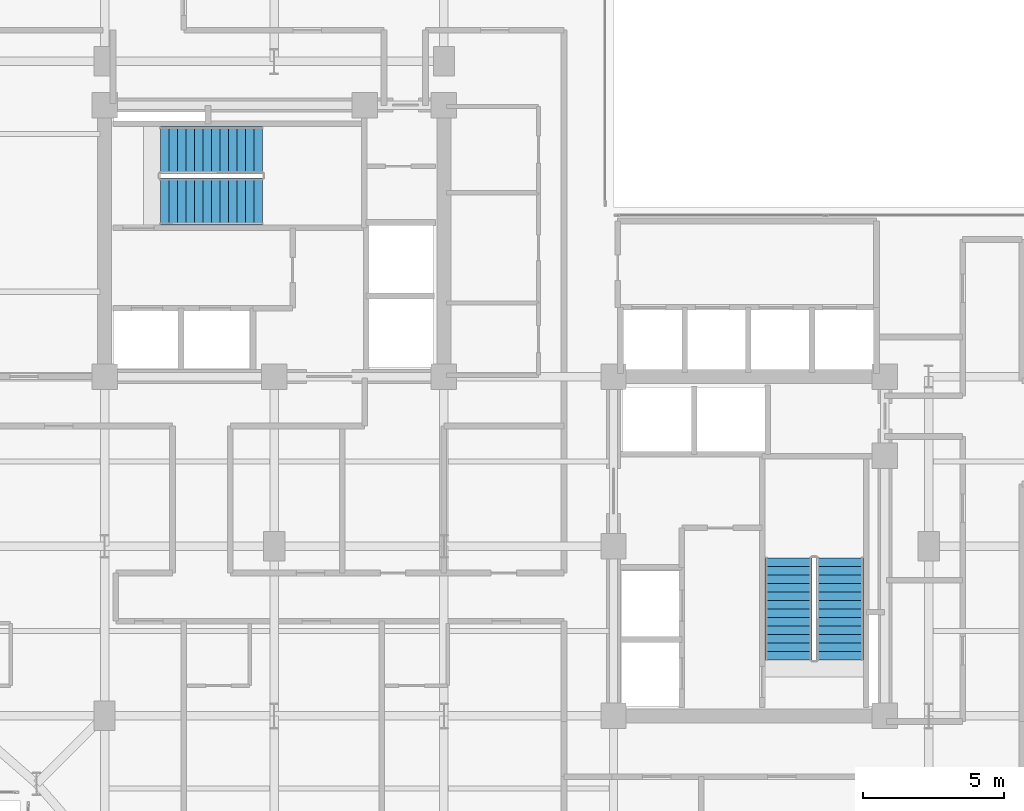
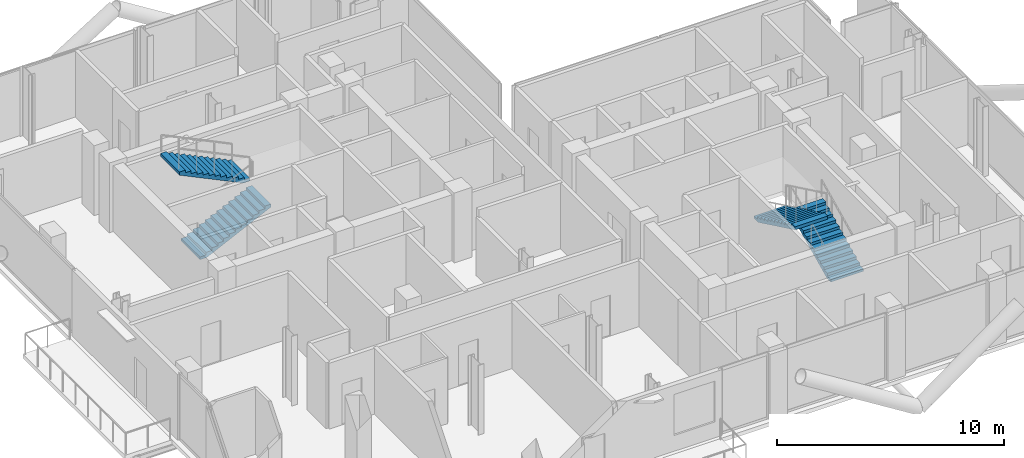
# One storey, part 20 of 22: 4 stair flights, 2 elements without a shape of their own.
"""IFC4 building model written with IfcOpenShell, lengths in metres."""

import ifcopenshell
import ifcopenshell.guid

model = None  # the IFC model being written
_history = None  # IfcOwnerHistory: only IFC2X3 demands one
_inside = {}  # id of a spatial element -> (the spatial element, [elements in it])
_under = {}  # id of a project, library or spatial element -> (it, [spatial elements below it])
_declared = {}  # id of a project -> (the project, [libraries it declares])
_typed = {}  # id of a type object -> (the type object, [elements of that type])
_made_of = {}  # id of a material, layer set ... -> (it, [elements and type objects made of it])


def new_model(schema):
    """Start an empty IFC model of exactly this schema.

    Asked for "IFC4X3", IfcOpenShell would pick the latest addendum, in which some entities
    have other attributes; the version numbers below select the first issue.
    IFC2X3 requires an IfcOwnerHistory on every rooted entity: one is made here for all.
    """
    global model, _history
    if schema == "IFC4X3":
        model = ifcopenshell.file(schema_version=(4, 3, 0, 0))
    else:
        model = ifcopenshell.file(schema=schema)
    _inside.clear()
    _under.clear()
    _declared.clear()
    _typed.clear()
    _made_of.clear()
    _history = None
    if model.schema == "IFC2X3":
        org = make("IfcOrganization", Name="unknown")
        user = make(
            "IfcPersonAndOrganization",
            ThePerson=make("IfcPerson", FamilyName="unknown"),
            TheOrganization=org,
        )
        app = make(
            "IfcApplication",
            ApplicationDeveloper=org,
            Version="unknown",
            ApplicationFullName="unknown",
            ApplicationIdentifier="unknown",
        )
        _history = make(
            "IfcOwnerHistory",
            OwningUser=user,
            OwningApplication=app,
            ChangeAction="ADDED",
            CreationDate=0,
        )
    return model


def make(cls, **values):
    """One entity of the class cls with the attributes given. An attribute that is None is left unset."""
    return model.create_entity(
        cls, **{name: value for name, value in values.items() if value is not None}
    )


def rooted(cls, **values):
    """An entity with a GlobalId (a new one), such as an element, a storey or a relation."""
    return make(cls, GlobalId=ifcopenshell.guid.new(), OwnerHistory=_history, **values)


def si_unit(unit_type, name, prefix=None):
    """IfcSIUnit, for example si_unit("LENGTHUNIT", "METRE", prefix="MILLI")."""
    return make("IfcSIUnit", UnitType=unit_type, Prefix=prefix, Name=name)


def assignment(units):
    """IfcUnitAssignment: the units of a project."""
    return None if units is None else make("IfcUnitAssignment", Units=units)


def point(xyz):
    """IfcCartesianPoint."""
    return None if xyz is None else make("IfcCartesianPoint", Coordinates=xyz)


def direction(xyz):
    """IfcDirection."""
    return None if xyz is None else make("IfcDirection", DirectionRatios=xyz)


def frame(location, z_axis=None, x_axis=None):
    """IfcAxis2Placement3D, a coordinate frame: its origin and axes. An axis left out is left unset."""
    return make(
        "IfcAxis2Placement3D",
        Location=point(location),
        Axis=direction(z_axis),
        RefDirection=direction(x_axis),
    )


def origin():
    """The frame at (0, 0, 0) with its axes left unset."""
    return frame((0.0, 0.0, 0.0))


def place(relative_to, where):
    """IfcLocalPlacement: puts the frame where relative to a parent placement (None: the world)."""
    return make(
        "IfcLocalPlacement", PlacementRelTo=relative_to, RelativePlacement=where
    )


def context(
    kind, dimensions, precision=None, world=None, true_north=None, identifier=None
):
    """IfcGeometricRepresentationContext, for example the 3D "Model" context."""
    return make(
        "IfcGeometricRepresentationContext",
        ContextIdentifier=identifier,
        ContextType=kind,
        CoordinateSpaceDimension=dimensions,
        Precision=precision,
        WorldCoordinateSystem=world,
        TrueNorth=true_north,
    )


def subcontext(parent, identifier, kind, view, scale=None):
    """IfcGeometricRepresentationSubContext, for example "Body" below "Model"."""
    return make(
        "IfcGeometricRepresentationSubContext",
        ContextIdentifier=identifier,
        ContextType=kind,
        ParentContext=parent,
        TargetScale=scale,
        TargetView=view,
    )


def project(units=None, contexts=None):
    """IfcProject with its units and contexts."""
    return rooted(
        "IfcProject",
        Name="project",
        RepresentationContexts=contexts,
        UnitsInContext=assignment(units),
    )


def spatial(cls, under=None, at=None, **own):
    """A site, building, storey or space (cls), placed at a placement, below another one or the project."""
    s = rooted(cls, ObjectPlacement=at, **own)
    if under is not None:
        _under.setdefault(under.id(), (under, []))[1].append(s)
    return s


def polyline(points):
    """IfcPolyline through the points."""
    return make("IfcPolyline", Points=[point(p) for p in points])


def outline(outer, holes=None, kind="AREA"):
    """IfcArbitraryClosedProfileDef: a profile drawn as a closed curve; with holes, ...WithVoids."""
    if holes is None:
        return make("IfcArbitraryClosedProfileDef", ProfileType=kind, OuterCurve=outer)
    return make(
        "IfcArbitraryProfileDefWithVoids",
        ProfileType=kind,
        OuterCurve=outer,
        InnerCurves=holes,
    )


def extrude(swept, where, along, depth):
    """IfcExtrudedAreaSolid: the profile swept, set in the frame where, extruded along a direction by depth."""
    return make(
        "IfcExtrudedAreaSolid",
        SweptArea=swept,
        Position=where,
        ExtrudedDirection=direction(along),
        Depth=depth,
    )


def shape(context_of_items, identifier, shape_type, items):
    """IfcShapeRepresentation: the items that make up one representation, for example the "Body"."""
    return make(
        "IfcShapeRepresentation",
        ContextOfItems=context_of_items,
        RepresentationIdentifier=identifier,
        RepresentationType=shape_type,
        Items=items,
    )


def material(Name=None, Category=None):
    """IfcMaterial."""
    return make("IfcMaterial", Name=Name, Category=Category)


def made_of(thing, what):
    """Note that an element or type object is made of a material, layer set ...; save() writes the relation."""
    if what is not None:
        _made_of.setdefault(what.id(), (what, []))[1].append(thing)
    return thing


def type_object(cls, material=None, **own):
    """A type object (cls), such as IfcWallType, which elements share."""
    return made_of(rooted(cls, **own), material)


def element(
    cls,
    number,
    at=None,
    inside=None,
    cuts=None,
    type_object=None,
    material=None,
    context=None,
    identifier="Body",
    shape_type=None,
    held_by="IfcProductDefinitionShape",
    body=None,
    shapes=None,
    **own,
):
    """One element of the class cls, such as IfcWall. Its Tag is "e" and its number.

    at: its placement. inside: the storey or other place that contains it. cuts: it is an
    opening in that element (IfcRelVoidsElement). A single representation is given by context,
    identifier, shape_type and body (its items); several are given by shapes. held_by: the class
    of the entity that holds the representations. save() writes the other relations.
    """
    e = rooted(cls, Tag="e%d" % number, ObjectPlacement=at, **own)
    if body is not None:
        shapes = [shape(context, identifier, shape_type, body)]
    if shapes is not None:
        e.Representation = make(held_by, Representations=shapes)
    if inside is not None:
        _inside.setdefault(inside.id(), (inside, []))[1].append(e)
    if cuts is not None:
        rooted(
            "IfcRelVoidsElement", RelatingBuildingElement=cuts, RelatedOpeningElement=e
        )
    if type_object is not None:
        _typed.setdefault(type_object.id(), (type_object, []))[1].append(e)
    return made_of(e, material)


def aggregate(whole, parts):
    """IfcRelAggregates: a whole, such as a stair, and the parts it consists of."""
    return rooted("IfcRelAggregates", RelatingObject=whole, RelatedObjects=parts)


def save(model, path):
    """Write the relations noted so far, then the file.

    IfcRelAggregates (storeys below a building ...), IfcRelContainedInSpatialStructure (elements
    in a storey), IfcRelDefinesByType, IfcRelAssociatesMaterial and IfcRelDeclares: one each for
    every whole, place, type object, material and project.
    """
    for whole, parts in _under.values():
        aggregate(whole, parts)
    for where, things in _inside.values():
        rooted(
            "IfcRelContainedInSpatialStructure",
            RelatedElements=things,
            RelatingStructure=where,
        )
    for kind, things in _typed.values():
        rooted("IfcRelDefinesByType", RelatedObjects=things, RelatingType=kind)
    for what, things in _made_of.values():
        rooted("IfcRelAssociatesMaterial", RelatedObjects=things, RelatingMaterial=what)
    for by, libraries in _declared.values():
        rooted("IfcRelDeclares", RelatingContext=by, RelatedDefinitions=libraries)
    model.write(path)


model = new_model("IFC4")

# Units and contexts
model_context = context("Model", 3, precision=1e-05, world=origin(), true_north=direction((0.0, 1.0)))
body_context = subcontext(model_context, "Body", "Model", "MODEL_VIEW")
ifc_project = project(units=[si_unit("LENGTHUNIT", "METRE"), si_unit("AREAUNIT", "SQUARE_METRE"), si_unit("VOLUMEUNIT", "CUBIC_METRE"), si_unit("PLANEANGLEUNIT", "RADIAN"), si_unit("MASSUNIT", "GRAM", prefix="KILO"), si_unit("THERMODYNAMICTEMPERATUREUNIT", "KELVIN"), si_unit("POWERUNIT", "WATT")], contexts=[model_context])

# Site, building, storey
site_placement = place(None, origin())
site = spatial("IfcSite", under=ifc_project, at=site_placement, CompositionType="ELEMENT")
building_placement = place(site_placement, origin())
building = spatial("IfcBuilding", under=site, at=building_placement, Name="Svarakhadi Broadcast Tower", CompositionType="ELEMENT")
storey_placement = place(building_placement, frame((0.0, 0.0, 172.949951171875)))
storey = spatial("IfcBuildingStorey", under=building, at=storey_placement, Name="L42", CompositionType="ELEMENT", Elevation=172.949951171875)

# Stair, stair flights
ifc_material = material(Name="Concrete C40/50 (IS 456 M50)", Category="concrete")
stair_type = type_object("IfcStairType", Name="Stair_Exit_Core", PredefinedType="HALF_TURN_STAIR", material=ifc_material)
stair_1_placement = place(storey_placement, origin())
stair_1 = element("IfcStair", 1, at=stair_1_placement, inside=storey, type_object=stair_type, Name="L42 West Core Protected Exit Stair ST-01", PredefinedType="HALF_TURN_STAIR")
stair_flight_type = type_object("IfcStairFlightType", Name="Flight_RC_1680", PredefinedType="STRAIGHT", material=ifc_material)
stair_flight_1_placement = place(storey_placement, frame((7.97998046875, 24.18994140625, 0.0), z_axis=(0.0, 0.0, 1.0), x_axis=(1.0, 0.0, 0.0)))
stair_flight_1 = element("IfcStairFlight", 2, at=stair_flight_1_placement, type_object=stair_flight_type, Name="ST-01 flight 1", NumberOfRisers=13, NumberOfTreads=12, PredefinedType="STRAIGHT", RiserHeight=0.144230769, TreadLength=0.3, context=body_context, shape_type="SweptSolid", body=[
    extrude(outline(polyline([(0.0, 0.0), (0.0, 0.144287109375), (0.300048828125, 0.144287109375), (0.300048828125, 0.28857421875), (0.60009765625, 0.28857421875), (0.60009765625, 0.4326171875), (0.89990234375, 0.4326171875), (0.89990234375, 0.576904296875), (1.199951171875, 0.576904296875), (1.199951171875, 0.72119140625), (1.5, 0.72119140625), (1.5, 0.865478515625), (1.800048828125, 0.865478515625), (1.800048828125, 1.009521484375), (2.10009765625, 1.009521484375), (2.10009765625, 1.15380859375), (2.39990234375, 1.15380859375), (2.39990234375, 1.298095703125), (2.699951171875, 1.298095703125), (2.699951171875, 1.4423828125), (3.0, 1.4423828125), (3.0, 1.58642578125), (3.300048828125, 1.58642578125), (3.300048828125, 1.730712890625), (3.60009765625, 1.730712890625), (3.60009765625, 1.875), (3.60009765625, 1.564453125), (0.345947265625, 0.0), (0.0, 0.0)])), frame((0.0, 0.830078125, 0.0), z_axis=(0.0, -1.0, 0.0), x_axis=(1.0, 0.0, 0.0)), (0.0, 0.0, 1.0), 1.659912109375),
])
stair_flight_2_placement = place(storey_placement, frame((11.580078125, 26.010009765625, 1.875), z_axis=(0.0, 0.0, 1.0), x_axis=(-1.0, 0.0, 0.0)))
stair_flight_2 = element("IfcStairFlight", 3, at=stair_flight_2_placement, type_object=stair_flight_type, Name="ST-01 flight 2", NumberOfRisers=13, NumberOfTreads=12, PredefinedType="STRAIGHT", RiserHeight=0.144230769, TreadLength=0.3, context=body_context, shape_type="SweptSolid", body=[
    extrude(outline(polyline([(0.0, 0.0), (0.0, 0.144287109375), (0.300048828125, 0.144287109375), (0.300048828125, 0.28857421875), (0.60009765625, 0.28857421875), (0.60009765625, 0.4326171875), (0.89990234375, 0.4326171875), (0.89990234375, 0.576904296875), (1.199951171875, 0.576904296875), (1.199951171875, 0.72119140625), (1.5, 0.72119140625), (1.5, 0.865478515625), (1.800048828125, 0.865478515625), (1.800048828125, 1.009521484375), (2.10009765625, 1.009521484375), (2.10009765625, 1.15380859375), (2.39990234375, 1.15380859375), (2.39990234375, 1.298095703125), (2.699951171875, 1.298095703125), (2.699951171875, 1.4423828125), (3.0, 1.4423828125), (3.0, 1.58642578125), (3.300048828125, 1.58642578125), (3.300048828125, 1.730712890625), (3.60009765625, 1.730712890625), (3.60009765625, 1.875), (3.60009765625, 1.564453125), (0.345947265625, 0.0), (0.0, 0.0)])), frame((0.0, 0.830078125, 0.0), z_axis=(0.0, -1.0, 0.0), x_axis=(1.0, 0.0, 0.0)), (0.0, 0.0, 1.0), 1.659912109375),
])
aggregate(stair_1, [stair_flight_1, stair_flight_2])

stair_2_placement = place(storey_placement, origin())
stair_2 = element("IfcStair", 4, at=stair_2_placement, inside=storey, type_object=stair_type, Name="L42 East Core Protected Exit Stair ST-02", PredefinedType="HALF_TURN_STAIR")
stair_flight_3_placement = place(storey_placement, frame((32.010009765625, 7.97998046875, 0.0), z_axis=(0.0, 0.0, 1.0), x_axis=(0.0, 1.0, 0.0)))
stair_flight_3 = element("IfcStairFlight", 5, at=stair_flight_3_placement, type_object=stair_flight_type, Name="ST-02 flight 1", NumberOfRisers=13, NumberOfTreads=12, PredefinedType="STRAIGHT", RiserHeight=0.144230769, TreadLength=0.3, context=body_context, shape_type="SweptSolid", body=[
    extrude(outline(polyline([(0.0, 0.0), (0.0, 0.144287109375), (0.300048828125, 0.144287109375), (0.300048828125, 0.28857421875), (0.60009765625, 0.28857421875), (0.60009765625, 0.4326171875), (0.89990234375, 0.4326171875), (0.89990234375, 0.576904296875), (1.199951171875, 0.576904296875), (1.199951171875, 0.72119140625), (1.5, 0.72119140625), (1.5, 0.865478515625), (1.800048828125, 0.865478515625), (1.800048828125, 1.009521484375), (2.10009765625, 1.009521484375), (2.10009765625, 1.15380859375), (2.39990234375, 1.15380859375), (2.39990234375, 1.298095703125), (2.699951171875, 1.298095703125), (2.699951171875, 1.4423828125), (3.0, 1.4423828125), (3.0, 1.58642578125), (3.300048828125, 1.58642578125), (3.300048828125, 1.730712890625), (3.60009765625, 1.730712890625), (3.60009765625, 1.875), (3.60009765625, 1.564453125), (0.345947265625, 0.0), (0.0, 0.0)])), frame((0.0, 0.830078125, 0.0), z_axis=(0.0, -1.0, 0.0), x_axis=(1.0, 0.0, 0.0)), (0.0, 0.0, 1.0), 1.659912109375),
])
stair_flight_4_placement = place(storey_placement, frame((30.18994140625, 11.580078125, 1.875), z_axis=(0.0, 0.0, 1.0), x_axis=(0.0, -1.0, 0.0)))
stair_flight_4 = element("IfcStairFlight", 6, at=stair_flight_4_placement, type_object=stair_flight_type, Name="ST-02 flight 2", NumberOfRisers=13, NumberOfTreads=12, PredefinedType="STRAIGHT", RiserHeight=0.144230769, TreadLength=0.3, context=body_context, shape_type="SweptSolid", body=[
    extrude(outline(polyline([(0.0, 0.0), (0.0, 0.144287109375), (0.300048828125, 0.144287109375), (0.300048828125, 0.28857421875), (0.60009765625, 0.28857421875), (0.60009765625, 0.4326171875), (0.89990234375, 0.4326171875), (0.89990234375, 0.576904296875), (1.199951171875, 0.576904296875), (1.199951171875, 0.72119140625), (1.5, 0.72119140625), (1.5, 0.865478515625), (1.800048828125, 0.865478515625), (1.800048828125, 1.009521484375), (2.10009765625, 1.009521484375), (2.10009765625, 1.15380859375), (2.39990234375, 1.15380859375), (2.39990234375, 1.298095703125), (2.699951171875, 1.298095703125), (2.699951171875, 1.4423828125), (3.0, 1.4423828125), (3.0, 1.58642578125), (3.300048828125, 1.58642578125), (3.300048828125, 1.730712890625), (3.60009765625, 1.730712890625), (3.60009765625, 1.875), (3.60009765625, 1.564453125), (0.345947265625, 0.0), (0.0, 0.0)])), frame((0.0, 0.830078125, 0.0), z_axis=(0.0, -1.0, 0.0), x_axis=(1.0, 0.0, 0.0)), (0.0, 0.0, 1.0), 1.659912109375),
])
aggregate(stair_2, [stair_flight_3, stair_flight_4])

save(model, "model.ifc")
